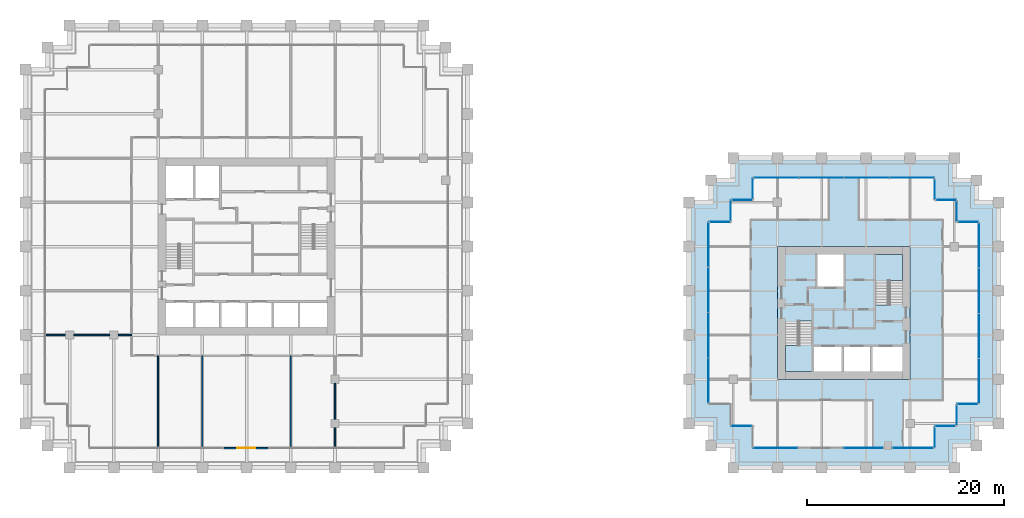
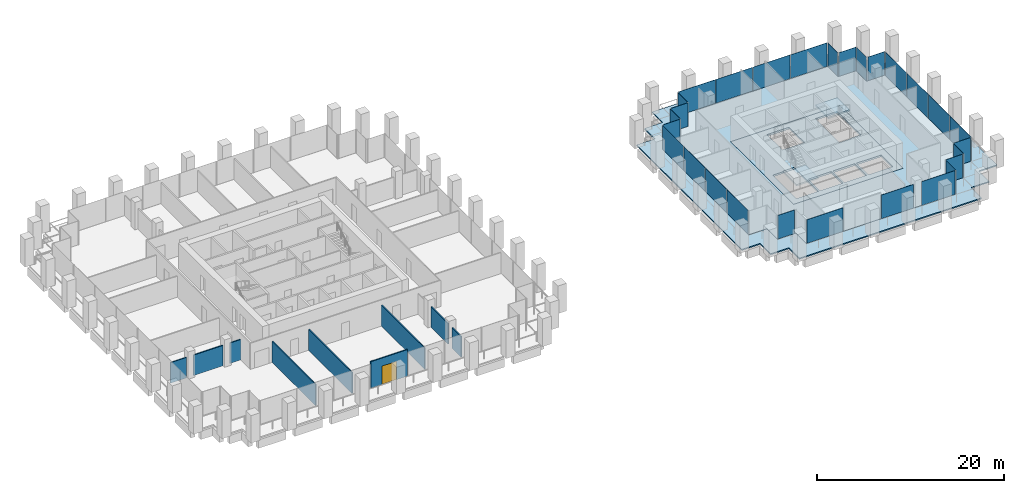
# One storey, part 49 of 56: 28 plates, 9 walls, 5 slabs, 1 door, 1 opening, 21 elements without a shape of their own.
"""IFC4 building model written with IfcOpenShell, lengths in metres."""

from ifc_helpers import new_model, si_unit, direction, frame, frame_2d, origin, origin_2d, place, context, subcontext, project, spatial, polyline, rectangle, outline, extrude, material, layer, layer_set, type_object, element, fill, aggregate, save


model = new_model("IFC4")

# Units and contexts
model_context = context("Model", 3, precision=1e-05, world=origin(), true_north=direction((0.0, 1.0)))
body_context = subcontext(model_context, "Body", "Model", "MODEL_VIEW")
ifc_project = project(units=[si_unit("LENGTHUNIT", "METRE"), si_unit("AREAUNIT", "SQUARE_METRE"), si_unit("VOLUMEUNIT", "CUBIC_METRE"), si_unit("PLANEANGLEUNIT", "RADIAN"), si_unit("MASSUNIT", "GRAM", prefix="KILO")], contexts=[model_context])

# Site, building, storey
site_placement = place(None, origin())
site = spatial("IfcSite", under=ifc_project, at=site_placement, CompositionType="ELEMENT")
building_placement = place(site_placement, origin())
building = spatial("IfcBuilding", under=site, at=building_placement, Name="Altepetl Exchange Towers", CompositionType="ELEMENT")
storey_placement = place(building_placement, frame((0.0, 0.0, 51.0)))
storey = spatial("IfcBuildingStorey", under=building, at=storey_placement, Name="L11", CompositionType="ELEMENT", Elevation=51.0)

# Slabs
ifc_material_1 = material(Name="Concrete C40/50", Category="concrete")
ifc_layer_1 = layer(ifc_material_1, 0.14990234375)
ifc_layer_set_1 = layer_set([ifc_layer_1], Name="Concrete C40/50")
slab_type_1 = type_object("IfcSlabType", Name="Composite floor slab 150", PredefinedType="FLOOR", material=ifc_layer_set_1)
slab_1_placement = place(storey_placement, frame((0.0, 0.0, -0.14990234375)))
element("IfcSlab", 1, at=slab_1_placement, inside=storey, type_object=slab_type_1, Name="slab:B:L11:strip0", PredefinedType="FLOOR", context=body_context, shape_type="SweptSolid", body=[
    extrude(outline(polyline([(98.75, 54.25), (98.75, 52.0), (96.5, 52.0), (96.5, 33.5), (98.75, 33.5), (98.75, 31.25), (101.0, 31.25), (101.0, 29.0), (119.5, 29.0), (119.5, 31.25), (121.75, 31.25), (121.75, 33.5), (124.0, 33.5), (124.0, 52.0), (121.75, 52.0), (121.75, 54.25), (119.5, 54.25), (119.5, 56.5), (101.0, 56.5), (101.0, 54.25), (98.75, 54.25)]), holes=[polyline([(117.0, 49.5), (117.0, 36.0), (103.5, 36.0), (103.5, 49.5), (117.0, 49.5)])]), origin(), (0.0, 0.0, 1.0), 0.14990234375),
])
ifc_layer_2 = layer(ifc_material_1, 0.25)
ifc_layer_set_2 = layer_set([ifc_layer_2], Name="Concrete C40/50")
slab_type_2 = type_object("IfcSlabType", Name="Core floor slab 250", PredefinedType="FLOOR", material=ifc_layer_set_2)
slab_2_placement = place(storey_placement, frame((0.0, 0.0, -0.25)))
element("IfcSlab", 2, at=slab_2_placement, inside=storey, type_object=slab_type_2, Name="slab:B:L11:core0", PredefinedType="FLOOR", context=body_context, shape_type="SweptSolid", body=[
    extrude(outline(polyline([(103.5, 36.0), (117.0, 36.0), (117.0, 49.5), (103.5, 49.5), (103.5, 36.0)]), holes=[polyline([(107.199951171875, 36.800048828125), (107.199951171875, 39.300048828125), (110.032958984375, 39.300048828125), (110.032958984375, 36.800048828125), (107.199951171875, 36.800048828125)]), polyline([(110.23291015625, 39.300048828125), (112.967041015625, 39.300048828125), (112.967041015625, 36.800048828125), (110.23291015625, 36.800048828125), (110.23291015625, 39.300048828125)]), polyline([(113.1669921875, 39.300048828125), (116.199951171875, 39.300048828125), (116.199951171875, 36.800048828125), (113.1669921875, 36.800048828125), (113.1669921875, 39.300048828125)]), polyline([(107.0, 36.800048828125), (104.300048828125, 36.800048828125), (104.300048828125, 41.85009765625), (105.60009765625, 41.85009765625), (105.60009765625, 41.948974609375), (107.0, 41.948974609375), (107.0, 36.800048828125)]), polyline([(116.199951171875, 48.699951171875), (116.199951171875, 43.64990234375), (114.89990234375, 43.64990234375), (114.89990234375, 43.551025390625), (113.5, 43.551025390625), (113.5, 48.699951171875), (116.199951171875, 48.699951171875)]), polyline([(107.532958984375, 48.699951171875), (110.26708984375, 48.699951171875), (110.26708984375, 45.39990234375), (107.532958984375, 45.39990234375), (107.532958984375, 48.699951171875)])]), origin(), (0.0, 0.0, 1.0), 0.25),
])

# Curtain wall, plate
ifc_material_2 = material(Name="Aluminium 6063-T6 glazing", Category="aluminium")
curtain_wall_type = type_object("IfcCurtainWallType", Name="Loggia glazing system", PredefinedType="NOTDEFINED", material=ifc_material_2)
curtain_wall_1_placement = place(storey_placement, origin())
curtain_wall_1 = element("IfcCurtainWall", 3, at=curtain_wall_1_placement, inside=storey, type_object=curtain_wall_type, Name="CW1 run", PredefinedType="NOTDEFINED")
ifc_material_3 = material(Name="Glass 6-16-6 low emissivity", Category="glass")
ifc_layer_3 = layer(ifc_material_3, 0.028076171875)
ifc_layer_set_3 = layer_set([ifc_layer_3], Name="Glass 6-16-6 low emissivity")
plate_type = type_object("IfcPlateType", Name="Glass panel 28 double glazed", PredefinedType="CURTAIN_PANEL", material=ifc_layer_set_3)
plate_1_placement = place(storey_placement, frame((97.66259765625, 52.0, 0.0), z_axis=(0.0, 0.0, 1.0), x_axis=(-1.0, 0.0, 0.0)))
plate_1 = element("IfcPlate", 4, at=plate_1_placement, type_object=plate_type, Name="GP1 panel", PredefinedType="CURTAIN_PANEL", context=body_context, shape_type="SweptSolid", body=[
    extrude(rectangle(XDim=2.054931640625, YDim=0.028076171875, at=origin_2d()), origin(), (0.0, 0.0, 1.0), 3.10009765625),
])
aggregate(curtain_wall_1, [plate_1])

# Curtain wall, plates
curtain_wall_2_placement = place(storey_placement, origin())
curtain_wall_2 = element("IfcCurtainWall", 5, at=curtain_wall_2_placement, inside=storey, type_object=curtain_wall_type, Name="CW1 run", PredefinedType="NOTDEFINED")
plate_2_placement = place(storey_placement, frame((96.5, 49.681884765625, 0.0), z_axis=(0.0, 0.0, 1.0), x_axis=(0.0, -1.0, 0.0)))
plate_2 = element("IfcPlate", 6, at=plate_2_placement, type_object=plate_type, Name="GP1 panel", PredefinedType="CURTAIN_PANEL", context=body_context, shape_type="SweptSolid", body=[
    extrude(rectangle(XDim=4.516357421875, YDim=0.028076171875, at=origin_2d()), origin(), (0.0, 0.0, 1.0), 3.10009765625),
])
plate_3_placement = place(storey_placement, frame((96.5, 45.090576171875, 0.0), z_axis=(0.0, 0.0, 1.0), x_axis=(0.0, -1.0, 0.0)))
plate_3 = element("IfcPlate", 7, at=plate_3_placement, type_object=plate_type, Name="GP1 panel", PredefinedType="CURTAIN_PANEL", context=body_context, shape_type="SweptSolid", body=[
    extrude(rectangle(XDim=4.546142578125, YDim=0.028076171875, at=origin_2d()), origin(), (0.0, 0.0, 1.0), 3.10009765625),
])
plate_4_placement = place(storey_placement, frame((96.5, 40.484375, 0.0), z_axis=(0.0, 0.0, 1.0), x_axis=(0.0, -1.0, 0.0)))
plate_4 = element("IfcPlate", 8, at=plate_4_placement, type_object=plate_type, Name="GP1 panel", PredefinedType="CURTAIN_PANEL", context=body_context, shape_type="SweptSolid", body=[
    extrude(rectangle(XDim=4.546142578125, YDim=0.028076171875, at=origin_2d()), origin(), (0.0, 0.0, 1.0), 3.10009765625),
])
plate_5_placement = place(storey_placement, frame((96.5, 35.89306640625, 0.0), z_axis=(0.0, 0.0, 1.0), x_axis=(0.0, -1.0, 0.0)))
plate_5 = element("IfcPlate", 9, at=plate_5_placement, type_object=plate_type, Name="GP1 panel", PredefinedType="CURTAIN_PANEL", context=body_context, shape_type="SweptSolid", body=[
    extrude(rectangle(XDim=4.516357421875, YDim=0.028076171875, at=origin_2d()), origin(), (0.0, 0.0, 1.0), 3.10009765625),
])
aggregate(curtain_wall_2, [plate_2, plate_3, plate_4, plate_5])

# Curtain wall, plate
curtain_wall_3_placement = place(storey_placement, origin())
curtain_wall_3 = element("IfcCurtainWall", 10, at=curtain_wall_3_placement, inside=storey, type_object=curtain_wall_type, Name="CW1 run", PredefinedType="NOTDEFINED")
plate_6_placement = place(storey_placement, frame((99.83740234375, 31.25, 0.0)))
plate_6 = element("IfcPlate", 11, at=plate_6_placement, type_object=plate_type, Name="GP1 panel", PredefinedType="CURTAIN_PANEL", context=body_context, shape_type="SweptSolid", body=[
    extrude(rectangle(XDim=2.054931640625, YDim=0.028076171875, at=origin_2d()), origin(), (0.0, 0.0, 1.0), 3.10009765625),
])
aggregate(curtain_wall_3, [plate_6])

curtain_wall_4_placement = place(storey_placement, origin())
curtain_wall_4 = element("IfcCurtainWall", 12, at=curtain_wall_4_placement, inside=storey, type_object=curtain_wall_type, Name="CW1 run", PredefinedType="NOTDEFINED")
plate_7_placement = place(storey_placement, frame((103.30322265625, 29.0, 0.0)))
plate_7 = element("IfcPlate", 13, at=plate_7_placement, type_object=plate_type, Name="GP1 panel", PredefinedType="CURTAIN_PANEL", context=body_context, shape_type="SweptSolid", body=[
    extrude(rectangle(XDim=4.486328125, YDim=0.028076171875, at=origin_2d()), origin(), (0.0, 0.0, 1.0), 3.10009765625),
])
aggregate(curtain_wall_4, [plate_7])

curtain_wall_5_placement = place(storey_placement, origin())
curtain_wall_5 = element("IfcCurtainWall", 14, at=curtain_wall_5_placement, inside=storey, type_object=curtain_wall_type, Name="CW1 run", PredefinedType="NOTDEFINED")
plate_8_placement = place(storey_placement, frame((112.2587890625, 29.0, 0.0)))
plate_8 = element("IfcPlate", 15, at=plate_8_placement, type_object=plate_type, Name="GP1 panel", PredefinedType="CURTAIN_PANEL", context=body_context, shape_type="SweptSolid", body=[
    extrude(rectangle(XDim=3.972412109375, YDim=0.028076171875, at=origin_2d()), origin(), (0.0, 0.0, 1.0), 3.10009765625),
])
aggregate(curtain_wall_5, [plate_8])

curtain_wall_6_placement = place(storey_placement, origin())
curtain_wall_6 = element("IfcCurtainWall", 16, at=curtain_wall_6_placement, inside=storey, type_object=curtain_wall_type, Name="CW1 run", PredefinedType="NOTDEFINED")
plate_9_placement = place(storey_placement, frame((117.31005859375, 29.0, 0.0)))
plate_9 = element("IfcPlate", 17, at=plate_9_placement, type_object=plate_type, Name="GP1 panel", PredefinedType="CURTAIN_PANEL", context=body_context, shape_type="SweptSolid", body=[
    extrude(rectangle(XDim=4.110107421875, YDim=0.028076171875, at=origin_2d()), origin(), (0.0, 0.0, 1.0), 3.10009765625),
])
aggregate(curtain_wall_6, [plate_9])

curtain_wall_7_placement = place(storey_placement, origin())
curtain_wall_7 = element("IfcCurtainWall", 18, at=curtain_wall_7_placement, inside=storey, type_object=curtain_wall_type, Name="CW1 run", PredefinedType="NOTDEFINED")
plate_10_placement = place(storey_placement, frame((119.5, 30.08740234375, 0.0), z_axis=(0.0, 0.0, 1.0), x_axis=(0.0, 1.0, 0.0)))
plate_10 = element("IfcPlate", 19, at=plate_10_placement, type_object=plate_type, Name="GP1 panel", PredefinedType="CURTAIN_PANEL", context=body_context, shape_type="SweptSolid", body=[
    extrude(rectangle(XDim=2.054931640625, YDim=0.028076171875, at=origin_2d()), origin(), (0.0, 0.0, 1.0), 3.10009765625),
])
aggregate(curtain_wall_7, [plate_10])

curtain_wall_8_placement = place(storey_placement, origin())
curtain_wall_8 = element("IfcCurtainWall", 20, at=curtain_wall_8_placement, inside=storey, type_object=curtain_wall_type, Name="CW1 run", PredefinedType="NOTDEFINED")
plate_11_placement = place(storey_placement, frame((120.58740234375, 31.25, 0.0)))
plate_11 = element("IfcPlate", 21, at=plate_11_placement, type_object=plate_type, Name="GP1 panel", PredefinedType="CURTAIN_PANEL", context=body_context, shape_type="SweptSolid", body=[
    extrude(rectangle(XDim=2.054931640625, YDim=0.028076171875, at=origin_2d()), origin(), (0.0, 0.0, 1.0), 3.10009765625),
])
aggregate(curtain_wall_8, [plate_11])

curtain_wall_9_placement = place(storey_placement, origin())
curtain_wall_9 = element("IfcCurtainWall", 22, at=curtain_wall_9_placement, inside=storey, type_object=curtain_wall_type, Name="CW1 run", PredefinedType="NOTDEFINED")
plate_12_placement = place(storey_placement, frame((121.75, 32.33740234375, 0.0), z_axis=(0.0, 0.0, 1.0), x_axis=(0.0, 1.0, 0.0)))
plate_12 = element("IfcPlate", 23, at=plate_12_placement, type_object=plate_type, Name="GP1 panel", PredefinedType="CURTAIN_PANEL", context=body_context, shape_type="SweptSolid", body=[
    extrude(rectangle(XDim=2.054931640625, YDim=0.028076171875, at=origin_2d()), origin(), (0.0, 0.0, 1.0), 3.10009765625),
])
aggregate(curtain_wall_9, [plate_12])

curtain_wall_10_placement = place(storey_placement, origin())
curtain_wall_10 = element("IfcCurtainWall", 24, at=curtain_wall_10_placement, inside=storey, type_object=curtain_wall_type, Name="CW1 run", PredefinedType="NOTDEFINED")
plate_13_placement = place(storey_placement, frame((122.83740234375, 33.5, 0.0)))
plate_13 = element("IfcPlate", 25, at=plate_13_placement, type_object=plate_type, Name="GP1 panel", PredefinedType="CURTAIN_PANEL", context=body_context, shape_type="SweptSolid", body=[
    extrude(rectangle(XDim=2.054931640625, YDim=0.028076171875, at=origin_2d()), origin(), (0.0, 0.0, 1.0), 3.10009765625),
])
aggregate(curtain_wall_10, [plate_13])

# Curtain wall, plates
curtain_wall_11_placement = place(storey_placement, origin())
curtain_wall_11 = element("IfcCurtainWall", 26, at=curtain_wall_11_placement, inside=storey, type_object=curtain_wall_type, Name="CW1 run", PredefinedType="NOTDEFINED")
plate_14_placement = place(storey_placement, frame((124.0, 35.818115234375, 0.0), z_axis=(0.0, 0.0, 1.0), x_axis=(0.0, 1.0, 0.0)))
plate_14 = element("IfcPlate", 27, at=plate_14_placement, type_object=plate_type, Name="GP1 panel", PredefinedType="CURTAIN_PANEL", context=body_context, shape_type="SweptSolid", body=[
    extrude(rectangle(XDim=4.516357421875, YDim=0.028076171875, at=origin_2d()), origin(), (0.0, 0.0, 1.0), 3.10009765625),
])
plate_15_placement = place(storey_placement, frame((124.0, 40.409423828125, 0.0), z_axis=(0.0, 0.0, 1.0), x_axis=(0.0, 1.0, 0.0)))
plate_15 = element("IfcPlate", 28, at=plate_15_placement, type_object=plate_type, Name="GP1 panel", PredefinedType="CURTAIN_PANEL", context=body_context, shape_type="SweptSolid", body=[
    extrude(rectangle(XDim=4.546142578125, YDim=0.028076171875, at=origin_2d()), origin(), (0.0, 0.0, 1.0), 3.10009765625),
])
plate_16_placement = place(storey_placement, frame((124.0, 45.015625, 0.0), z_axis=(0.0, 0.0, 1.0), x_axis=(0.0, 1.0, 0.0)))
plate_16 = element("IfcPlate", 29, at=plate_16_placement, type_object=plate_type, Name="GP1 panel", PredefinedType="CURTAIN_PANEL", context=body_context, shape_type="SweptSolid", body=[
    extrude(rectangle(XDim=4.546142578125, YDim=0.028076171875, at=origin_2d()), origin(), (0.0, 0.0, 1.0), 3.10009765625),
])
plate_17_placement = place(storey_placement, frame((124.0, 49.60693359375, 0.0), z_axis=(0.0, 0.0, 1.0), x_axis=(0.0, 1.0, 0.0)))
plate_17 = element("IfcPlate", 30, at=plate_17_placement, type_object=plate_type, Name="GP1 panel", PredefinedType="CURTAIN_PANEL", context=body_context, shape_type="SweptSolid", body=[
    extrude(rectangle(XDim=4.516357421875, YDim=0.028076171875, at=origin_2d()), origin(), (0.0, 0.0, 1.0), 3.10009765625),
])
aggregate(curtain_wall_11, [plate_14, plate_15, plate_16, plate_17])

# Curtain wall, plate
curtain_wall_12_placement = place(storey_placement, origin())
curtain_wall_12 = element("IfcCurtainWall", 31, at=curtain_wall_12_placement, inside=storey, type_object=curtain_wall_type, Name="CW1 run", PredefinedType="NOTDEFINED")
plate_18_placement = place(storey_placement, frame((122.91259765625, 52.0, 0.0), z_axis=(0.0, 0.0, 1.0), x_axis=(-1.0, 0.0, 0.0)))
plate_18 = element("IfcPlate", 32, at=plate_18_placement, type_object=plate_type, Name="GP1 panel", PredefinedType="CURTAIN_PANEL", context=body_context, shape_type="SweptSolid", body=[
    extrude(rectangle(XDim=2.054931640625, YDim=0.028076171875, at=origin_2d()), origin(), (0.0, 0.0, 1.0), 3.10009765625),
])
aggregate(curtain_wall_12, [plate_18])

curtain_wall_13_placement = place(storey_placement, origin())
curtain_wall_13 = element("IfcCurtainWall", 33, at=curtain_wall_13_placement, inside=storey, type_object=curtain_wall_type, Name="CW1 run", PredefinedType="NOTDEFINED")
plate_19_placement = place(storey_placement, frame((121.75, 53.08740234375, 0.0), z_axis=(0.0, 0.0, 1.0), x_axis=(0.0, 1.0, 0.0)))
plate_19 = element("IfcPlate", 34, at=plate_19_placement, type_object=plate_type, Name="GP1 panel", PredefinedType="CURTAIN_PANEL", context=body_context, shape_type="SweptSolid", body=[
    extrude(rectangle(XDim=2.054931640625, YDim=0.028076171875, at=origin_2d()), origin(), (0.0, 0.0, 1.0), 3.10009765625),
])
aggregate(curtain_wall_13, [plate_19])

curtain_wall_14_placement = place(storey_placement, origin())
curtain_wall_14 = element("IfcCurtainWall", 35, at=curtain_wall_14_placement, inside=storey, type_object=curtain_wall_type, Name="CW1 run", PredefinedType="NOTDEFINED")
plate_20_placement = place(storey_placement, frame((120.66259765625, 54.25, 0.0), z_axis=(0.0, 0.0, 1.0), x_axis=(-1.0, 0.0, 0.0)))
plate_20 = element("IfcPlate", 36, at=plate_20_placement, type_object=plate_type, Name="GP1 panel", PredefinedType="CURTAIN_PANEL", context=body_context, shape_type="SweptSolid", body=[
    extrude(rectangle(XDim=2.054931640625, YDim=0.028076171875, at=origin_2d()), origin(), (0.0, 0.0, 1.0), 3.10009765625),
])
aggregate(curtain_wall_14, [plate_20])

curtain_wall_15_placement = place(storey_placement, origin())
curtain_wall_15 = element("IfcCurtainWall", 37, at=curtain_wall_15_placement, inside=storey, type_object=curtain_wall_type, Name="CW1 run", PredefinedType="NOTDEFINED")
plate_21_placement = place(storey_placement, frame((119.5, 55.33740234375, 0.0), z_axis=(0.0, 0.0, 1.0), x_axis=(0.0, 1.0, 0.0)))
plate_21 = element("IfcPlate", 38, at=plate_21_placement, type_object=plate_type, Name="GP1 panel", PredefinedType="CURTAIN_PANEL", context=body_context, shape_type="SweptSolid", body=[
    extrude(rectangle(XDim=2.054931640625, YDim=0.028076171875, at=origin_2d()), origin(), (0.0, 0.0, 1.0), 3.10009765625),
])
aggregate(curtain_wall_15, [plate_21])

# Curtain wall, plates
curtain_wall_16_placement = place(storey_placement, origin())
curtain_wall_16 = element("IfcCurtainWall", 39, at=curtain_wall_16_placement, inside=storey, type_object=curtain_wall_type, Name="CW1 run", PredefinedType="NOTDEFINED")
plate_22_placement = place(storey_placement, frame((117.181884765625, 56.5, 0.0), z_axis=(0.0, 0.0, 1.0), x_axis=(-1.0, 0.0, 0.0)))
plate_22 = element("IfcPlate", 40, at=plate_22_placement, type_object=plate_type, Name="GP1 panel", PredefinedType="CURTAIN_PANEL", context=body_context, shape_type="SweptSolid", body=[
    extrude(rectangle(XDim=4.516357421875, YDim=0.028076171875, at=origin_2d()), origin(), (0.0, 0.0, 1.0), 3.10009765625),
])
plate_23_placement = place(storey_placement, frame((112.590576171875, 56.5, 0.0), z_axis=(0.0, 0.0, 1.0), x_axis=(-1.0, 0.0, 0.0)))
plate_23 = element("IfcPlate", 41, at=plate_23_placement, type_object=plate_type, Name="GP1 panel", PredefinedType="CURTAIN_PANEL", context=body_context, shape_type="SweptSolid", body=[
    extrude(rectangle(XDim=4.546142578125, YDim=0.028076171875, at=origin_2d()), origin(), (0.0, 0.0, 1.0), 3.10009765625),
])
plate_24_placement = place(storey_placement, frame((107.984375, 56.5, 0.0), z_axis=(0.0, 0.0, 1.0), x_axis=(-1.0, 0.0, 0.0)))
plate_24 = element("IfcPlate", 42, at=plate_24_placement, type_object=plate_type, Name="GP1 panel", PredefinedType="CURTAIN_PANEL", context=body_context, shape_type="SweptSolid", body=[
    extrude(rectangle(XDim=4.546142578125, YDim=0.028076171875, at=origin_2d()), origin(), (0.0, 0.0, 1.0), 3.10009765625),
])
plate_25_placement = place(storey_placement, frame((103.39306640625, 56.5, 0.0), z_axis=(0.0, 0.0, 1.0), x_axis=(-1.0, 0.0, 0.0)))
plate_25 = element("IfcPlate", 43, at=plate_25_placement, type_object=plate_type, Name="GP1 panel", PredefinedType="CURTAIN_PANEL", context=body_context, shape_type="SweptSolid", body=[
    extrude(rectangle(XDim=4.516357421875, YDim=0.028076171875, at=origin_2d()), origin(), (0.0, 0.0, 1.0), 3.10009765625),
])
aggregate(curtain_wall_16, [plate_22, plate_23, plate_24, plate_25])

# Curtain wall, plate
curtain_wall_17_placement = place(storey_placement, origin())
curtain_wall_17 = element("IfcCurtainWall", 44, at=curtain_wall_17_placement, inside=storey, type_object=curtain_wall_type, Name="CW1 run", PredefinedType="NOTDEFINED")
plate_26_placement = place(storey_placement, frame((101.0, 55.41259765625, 0.0), z_axis=(0.0, 0.0, 1.0), x_axis=(0.0, -1.0, 0.0)))
plate_26 = element("IfcPlate", 45, at=plate_26_placement, type_object=plate_type, Name="GP1 panel", PredefinedType="CURTAIN_PANEL", context=body_context, shape_type="SweptSolid", body=[
    extrude(rectangle(XDim=2.054931640625, YDim=0.028076171875, at=origin_2d()), origin(), (0.0, 0.0, 1.0), 3.10009765625),
])
aggregate(curtain_wall_17, [plate_26])

curtain_wall_18_placement = place(storey_placement, origin())
curtain_wall_18 = element("IfcCurtainWall", 46, at=curtain_wall_18_placement, inside=storey, type_object=curtain_wall_type, Name="CW1 run", PredefinedType="NOTDEFINED")
plate_27_placement = place(storey_placement, frame((99.91259765625, 54.25, 0.0), z_axis=(0.0, 0.0, 1.0), x_axis=(-1.0, 0.0, 0.0)))
plate_27 = element("IfcPlate", 47, at=plate_27_placement, type_object=plate_type, Name="GP1 panel", PredefinedType="CURTAIN_PANEL", context=body_context, shape_type="SweptSolid", body=[
    extrude(rectangle(XDim=2.054931640625, YDim=0.028076171875, at=origin_2d()), origin(), (0.0, 0.0, 1.0), 3.10009765625),
])
aggregate(curtain_wall_18, [plate_27])

curtain_wall_19_placement = place(storey_placement, origin())
curtain_wall_19 = element("IfcCurtainWall", 48, at=curtain_wall_19_placement, inside=storey, type_object=curtain_wall_type, Name="CW1 run", PredefinedType="NOTDEFINED")
plate_28_placement = place(storey_placement, frame((98.75, 53.16259765625, 0.0), z_axis=(0.0, 0.0, 1.0), x_axis=(0.0, -1.0, 0.0)))
plate_28 = element("IfcPlate", 49, at=plate_28_placement, type_object=plate_type, Name="GP1 panel", PredefinedType="CURTAIN_PANEL", context=body_context, shape_type="SweptSolid", body=[
    extrude(rectangle(XDim=2.054931640625, YDim=0.028076171875, at=origin_2d()), origin(), (0.0, 0.0, 1.0), 3.10009765625),
])
aggregate(curtain_wall_19, [plate_28])

# Slab
ifc_layer_4 = layer(ifc_material_1, 0.14990234375)
ifc_layer_set_4 = layer_set([ifc_layer_4], Name="Concrete C40/50")
slab_type_3 = type_object("IfcSlabType", Name="Loggia slab 150", PredefinedType="FLOOR", material=ifc_layer_set_4)
slab_3_placement = place(storey_placement, frame((0.0, 0.0, -0.14990234375)))
element("IfcSlab", 50, at=slab_3_placement, inside=storey, type_object=slab_type_3, Name="slab:B:L11:loggia0", PredefinedType="FLOOR", context=body_context, shape_type="SweptSolid", body=[
    extrude(outline(polyline([(96.75, 54.0), (94.5, 54.0), (94.5, 36.0), (94.5, 31.5), (96.75, 31.5), (96.75, 29.25), (99.0, 29.25), (99.0, 27.0), (117.0, 27.0), (121.5, 27.0), (121.5, 29.25), (123.75, 29.25), (123.75, 31.5), (126.0, 31.5), (126.0, 49.5), (126.0, 54.0), (123.75, 54.0), (123.75, 56.25), (121.5, 56.25), (121.5, 58.5), (103.5, 58.5), (99.0, 58.5), (99.0, 56.25), (96.75, 56.25), (96.75, 54.0)]), holes=[polyline([(96.5, 52.0), (98.75, 52.0), (98.75, 54.25), (101.0, 54.25), (101.0, 56.5), (119.5, 56.5), (119.5, 54.25), (121.75, 54.25), (121.75, 52.0), (124.0, 52.0), (124.0, 33.5), (121.75, 33.5), (121.75, 31.25), (119.5, 31.25), (119.5, 29.0), (101.0, 29.0), (101.0, 31.25), (98.75, 31.25), (98.75, 33.5), (96.5, 33.5), (96.5, 52.0)])]), origin(), (0.0, 0.0, 1.0), 0.14990234375),
])

# Stair, slab
stair_type = type_object("IfcStairType", Name="Exit stair 1300 flights dogleg", PredefinedType="HALF_TURN_STAIR", material=ifc_material_1)
stair_1_placement = place(storey_placement, origin())
stair_1 = element("IfcStair", 51, at=stair_1_placement, inside=storey, type_object=stair_type, Name="Exit stair 1", PredefinedType="HALF_TURN_STAIR")
ifc_layer_5 = layer(ifc_material_1, 0.199951171875)
ifc_layer_set_5 = layer_set([ifc_layer_5], Name="Concrete C40/50")
slab_type_4 = type_object("IfcSlabType", Name="Stair landing 200 reinforced concrete", PredefinedType="LANDING", material=ifc_layer_set_5)
slab_4_placement = place(storey_placement, frame((0.0, 0.0, 1.60009765625)))
slab_4 = element("IfcSlab", 52, at=slab_4_placement, type_object=slab_type_4, Name="ST-B1c landing 1", PredefinedType="LANDING", context=body_context, shape_type="SweptSolid", body=[
    extrude(outline(polyline([(107.0, 36.800048828125), (104.300048828125, 36.800048828125), (104.300048828125, 39.429931640625), (104.300048828125, 39.4306640625), (105.60009765625, 39.4306640625), (105.60009765625, 39.429931640625), (105.699951171875, 39.429931640625), (105.699951171875, 39.530029296875), (107.0, 39.530029296875), (107.0, 39.429931640625), (107.0, 36.800048828125)])), origin(), (0.0, 0.0, 1.0), 0.199951171875),
])
aggregate(stair_1, [slab_4])

stair_2_placement = place(storey_placement, origin())
stair_2 = element("IfcStair", 53, at=stair_2_placement, inside=storey, type_object=stair_type, Name="Exit stair 2", PredefinedType="HALF_TURN_STAIR")
slab_5_placement = place(storey_placement, frame((0.0, 0.0, 1.60009765625)))
slab_5 = element("IfcSlab", 54, at=slab_5_placement, type_object=slab_type_4, Name="ST-B2c landing 1", PredefinedType="LANDING", context=body_context, shape_type="SweptSolid", body=[
    extrude(outline(polyline([(114.800048828125, 45.969970703125), (113.5, 45.969970703125), (113.5, 46.070068359375), (113.5, 48.699951171875), (116.199951171875, 48.699951171875), (116.199951171875, 46.070068359375), (116.199951171875, 46.0693359375), (114.89990234375, 46.0693359375), (114.89990234375, 46.070068359375), (114.800048828125, 46.070068359375), (114.800048828125, 45.969970703125)])), origin(), (0.0, 0.0, 1.0), 0.199951171875),
])
aggregate(stair_2, [slab_5])

# Wall, opening, door
ifc_material_4 = material(Name="Aluminium composite cladding", Category="aluminium")
ifc_layer_6 = layer(ifc_material_4, 0.14990234375)
ifc_layer_set_6 = layer_set([ifc_layer_6], Name="Aluminium composite cladding")
wall_type_1 = type_object("IfcWallType", Name="Infill wall 150 aluminium panel", PredefinedType="SOLIDWALL", material=ifc_layer_set_6)
wall_1_placement = place(storey_placement, frame((47.18212890625, 29.0, 0.0)))
wall_1 = element("IfcWall", 55, at=wall_1_placement, inside=storey, type_object=wall_type_1, Name="Loggia door bay wall", PredefinedType="SOLIDWALL", context=body_context, shape_type="SweptSolid", body=[
    extrude(rectangle(XDim=4.560791015625, YDim=0.14990234375, at=frame_2d((2.2802734375, 0.0))), origin(), (0.0, 0.0, 1.0), 3.449951171875),
])
opening_placement = place(wall_1_placement, frame((1.38037109375, 0.0, 0.0)))
opening = element("IfcOpeningElement", 56, at=opening_placement, cuts=wall_1, Name="Opening L11.A90", PredefinedType="OPENING", context=body_context, shape_type="SweptSolid", body=[
    extrude(rectangle(XDim=1.800048828125, YDim=2.39990234375, at=frame_2d((0.89990234375, 1.199951171875))), frame((0.0, 0.0849609375, 0.0), z_axis=(0.0, -1.0, 0.0), x_axis=(1.0, 0.0, 0.0)), (0.0, 0.0, 1.0), 0.169921875),
])
ifc_material_5 = material(Name="Aluminium 6063-T6 and glass", Category="aluminium")
door_type = type_object("IfcDoorType", Name="Glazed door pair 1800x2400", OperationType="DOUBLE_DOOR_DOUBLE_SWING", PredefinedType="NOTDEFINED", material=ifc_material_5)
door_placement = place(opening_placement, frame((1.800048828125, 0.0, 0.0), x_axis=(-1.0, 0.0, 0.0)))
door = element("IfcDoor", 57, at=door_placement, inside=storey, type_object=door_type, Name="Loggia door", OperationType="DOUBLE_DOOR_DOUBLE_SWING", OverallHeight=2.39990234375, OverallWidth=1.800048828125, PredefinedType="NOTDEFINED", context=body_context, shape_type="SweptSolid", body=[
    extrude(rectangle(XDim=1.800048828125, YDim=2.39990234375, at=frame_2d((0.89990234375, 1.199951171875))), frame((0.0, 0.02490234375, 0.0), z_axis=(0.0, -1.0, 0.0), x_axis=(1.0, 0.0, 0.0)), (0.0, 0.0, 1.0), 0.050048828125),
])
fill(opening, door)

# Walls
ifc_material_6 = material(Name="Gypsum board on steel studs", Category="steel")
ifc_layer_7 = layer(ifc_material_6, 0.125)
ifc_layer_set_7 = layer_set([ifc_layer_7], Name="Gypsum board on steel studs")
wall_type_2 = type_object("IfcWallType", Name="Partition 125 gypsum board on steel studs", PredefinedType="PARTITIONING", material=ifc_layer_set_7)
wall_2_placement = place(storey_placement, frame((29.10009765625, 40.5, 0.0)))
element("IfcWall", 58, at=wall_2_placement, inside=storey, type_object=wall_type_2, Name="wall:A:L11:P02", PredefinedType="PARTITIONING", context=body_context, shape_type="SweptSolid", body=[
    extrude(rectangle(XDim=1.974853515625, YDim=0.125, at=frame_2d((0.9873046875, 0.0))), origin(), (0.0, 0.0, 1.0), 2.676025390625),
])
wall_3_placement = place(storey_placement, frame((31.925048828125, 40.5, 0.0)))
element("IfcWall", 59, at=wall_3_placement, inside=storey, type_object=wall_type_2, Name="wall:A:L11:P03", PredefinedType="PARTITIONING", context=body_context, shape_type="SweptSolid", body=[
    extrude(rectangle(XDim=3.64990234375, YDim=0.125, at=frame_2d((1.824951171875, 0.0))), origin(), (0.0, 0.0, 1.0), 2.676025390625),
])
wall_4_placement = place(storey_placement, frame((36.425048828125, 40.5, 0.0)))
element("IfcWall", 60, at=wall_4_placement, inside=storey, type_object=wall_type_2, Name="wall:A:L11:P04", PredefinedType="PARTITIONING", context=body_context, shape_type="SweptSolid", body=[
    extrude(rectangle(XDim=1.375, YDim=0.125, at=frame_2d((0.6875, 0.0))), origin(), (0.0, 0.0, 1.0), 2.676025390625),
])
for number, where, z_axis, x_axis, name in (
    (61, (40.5, 29.10009765625, 0.0), (0.0, 0.0, 1.0), (0.0, 1.0, 0.0), "wall:A:L11:P16"),
    (62, (45.0, 29.10009765625, 0.0), (0.0, 0.0, 1.0), (0.0, 1.0, 0.0), "wall:A:L11:P20"),
    (63, (54.0, 29.10009765625, 0.0), (0.0, 0.0, 1.0), (0.0, 1.0, 0.0), "wall:A:L11:P23"),
):
    element("IfcWall", number, at=place(storey_placement, frame(where, z_axis=z_axis, x_axis=x_axis)), inside=storey, type_object=wall_type_2, Name=name, PredefinedType="PARTITIONING", context=body_context, shape_type="SweptSolid", body=[
        extrude(rectangle(XDim=9.2998046875, YDim=0.125, at=frame_2d((4.64990234375, 0.0))), origin(), (0.0, 0.0, 1.0), 2.76611328125),
    ])
wall_5_placement = place(storey_placement, frame((58.5, 29.10009765625, 0.0), z_axis=(0.0, 0.0, 1.0), x_axis=(0.0, 1.0, 0.0)))
element("IfcWall", 64, at=wall_5_placement, inside=storey, type_object=wall_type_2, Name="wall:A:L11:P25", PredefinedType="PARTITIONING", context=body_context, shape_type="SweptSolid", body=[
    extrude(rectangle(XDim=1.974853515625, YDim=0.125, at=frame_2d((0.9873046875, 0.0))), origin(), (0.0, 0.0, 1.0), 2.676025390625),
])
wall_6_placement = place(storey_placement, frame((58.5, 31.925048828125, 0.0), z_axis=(0.0, 0.0, 1.0), x_axis=(0.0, 1.0, 0.0)))
element("IfcWall", 65, at=wall_6_placement, inside=storey, type_object=wall_type_2, Name="wall:A:L11:P26", PredefinedType="PARTITIONING", context=body_context, shape_type="SweptSolid", body=[
    extrude(rectangle(XDim=3.64990234375, YDim=0.125, at=frame_2d((1.824951171875, 0.0))), origin(), (0.0, 0.0, 1.0), 2.676025390625),
])

save(model, "model.ifc")
